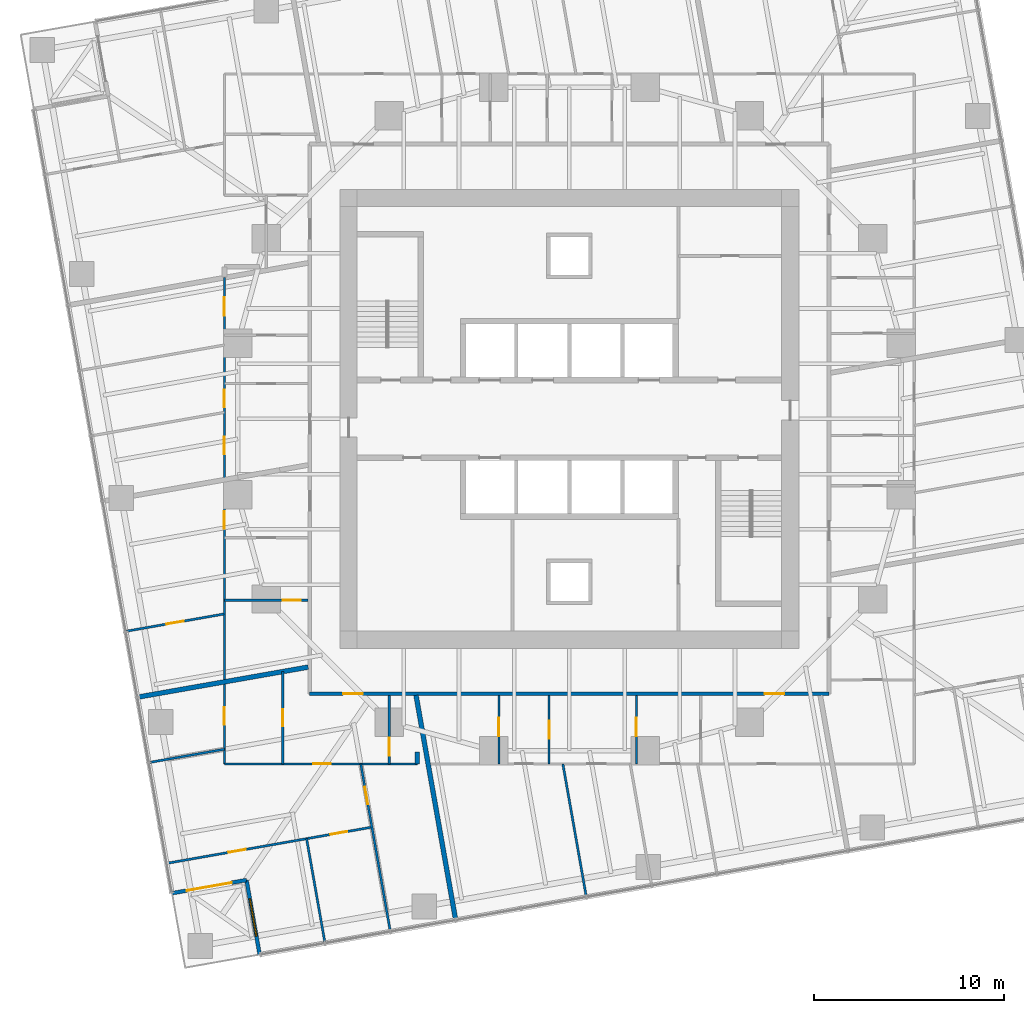
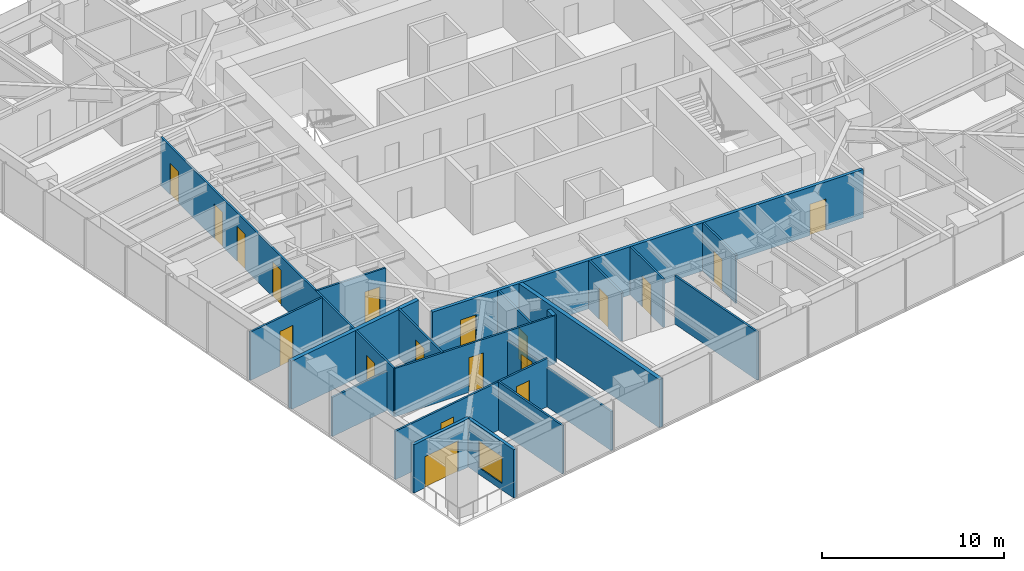
# One storey, part 8 of 14: 20 walls, 19 doors, 1 window, 20 openings.
"""IFC4 building model written with IfcOpenShell, lengths in metres."""

from ifc_helpers import new_model, si_unit, direction, frame, frame_2d, origin, place, context, subcontext, project, spatial, rectangle, extrude, material, layer, layer_set, type_object, element, fill, save


model = new_model("IFC4")

# Units and contexts
model_context = context("Model", 3, precision=1e-05, world=origin(), true_north=direction((0.0, 1.0)))
body_context = subcontext(model_context, "Body", "Model", "MODEL_VIEW")
ifc_project = project(units=[si_unit("LENGTHUNIT", "METRE"), si_unit("AREAUNIT", "SQUARE_METRE"), si_unit("VOLUMEUNIT", "CUBIC_METRE"), si_unit("PLANEANGLEUNIT", "RADIAN"), si_unit("MASSUNIT", "GRAM", prefix="KILO")], contexts=[model_context])

# Site, building, storey
site_placement = place(None, origin())
site = spatial("IfcSite", under=ifc_project, at=site_placement, CompositionType="ELEMENT")
building_placement = place(site_placement, origin())
building = spatial("IfcBuilding", under=site, at=building_placement, Name="Torsade Residences", CompositionType="ELEMENT")
storey_placement = place(building_placement, frame((0.0, 0.0, 99.800048828125)))
storey = spatial("IfcBuildingStorey", under=building, at=storey_placement, Name="L27", CompositionType="ELEMENT", Elevation=99.800048828125)

# Wall, openings, doors
ifc_material_1 = material(Name="Plasterboard on steel stud", Category="steel")
ifc_layer_1 = layer(ifc_material_1, 0.199951171875)
ifc_layer_set_1 = layer_set([ifc_layer_1], Name="Plasterboard on steel stud")
wall_type_1 = type_object("IfcWallType", Name="CORRIDOR WALL 200", PredefinedType="PARTITIONING", material=ifc_layer_set_1)
wall_1_placement = place(storey_placement, frame((26.300048828125, 15.5, 0.0), z_axis=(0.0, 0.0, 1.0), x_axis=(1.0, 0.0, 0.0)))
wall_1 = element("IfcWall", 1, at=wall_1_placement, inside=storey, type_object=wall_type_1, Name="Corridor wall L27", PredefinedType="PARTITIONING", context=body_context, shape_type="SweptSolid", body=[
    extrude(rectangle(XDim=27.39990234375, YDim=0.199951171875, at=frame_2d((13.699951171875, 0.0))), origin(), (0.0, 0.0, 1.0), 3.25),
])
opening_1_placement = place(wall_1_placement, frame((24.00537109375, 0.0, 0.0)))
opening_1 = element("IfcOpeningElement", 2, at=opening_1_placement, cuts=wall_1, Name="Opening D01L", PredefinedType="OPENING", context=body_context, shape_type="SweptSolid", body=[
    extrude(rectangle(XDim=1.02001953125, YDim=2.10009765625, at=frame_2d((0.510009765625, 1.050048828125))), frame((0.0, 0.10986328125, 0.0), z_axis=(0.0, -1.0, 0.0), x_axis=(1.0, 0.0, 0.0)), (0.0, 0.0, 1.0), 0.219970703125),
])
opening_2_placement = place(wall_1_placement, frame((1.764892578125, 0.0, 0.0)))
opening_2 = element("IfcOpeningElement", 3, at=opening_2_placement, cuts=wall_1, Name="Opening D01L", PredefinedType="OPENING", context=body_context, shape_type="SweptSolid", body=[
    extrude(rectangle(XDim=1.02001953125, YDim=2.10009765625, at=frame_2d((0.510009765625, 1.050048828125))), frame((0.0, 0.10986328125, 0.0), z_axis=(0.0, -1.0, 0.0), x_axis=(1.0, 0.0, 0.0)), (0.0, 0.0, 1.0), 0.219970703125),
])
ifc_material_2 = material(Name="Solid-core timber fire door", Category="wood")
door_type_1 = type_object("IfcDoorType", Name="APARTMENT ENTRY DOOR 1020x2100", OperationType="NOTDEFINED", PredefinedType="DOOR", material=ifc_material_2)
door_1_placement = place(opening_1_placement, origin())
door_1 = element("IfcDoor", 4, at=door_1_placement, inside=storey, type_object=door_type_1, Name="Door Residential corridor to Kitchen and dining", OperationType="SINGLE_SWING_RIGHT", OverallHeight=2.10009765625, OverallWidth=1.02001953125, PredefinedType="DOOR", context=body_context, shape_type="SweptSolid", body=[
    extrude(rectangle(XDim=1.02001953125, YDim=2.10009765625, at=frame_2d((0.510009765625, 1.050048828125))), frame((0.0, 0.02490234375, 0.0), z_axis=(0.0, -1.0, 0.0), x_axis=(1.0, 0.0, 0.0)), (0.0, 0.0, 1.0), 0.050048828125),
])
fill(opening_1, door_1)
door_2_placement = place(opening_2_placement, origin())
door_2 = element("IfcDoor", 5, at=door_2_placement, inside=storey, type_object=door_type_1, Name="Door Residential corridor to Kitchen and dining", OperationType="SINGLE_SWING_LEFT", OverallHeight=2.10009765625, OverallWidth=1.02001953125, PredefinedType="DOOR", context=body_context, shape_type="SweptSolid", body=[
    extrude(rectangle(XDim=1.02001953125, YDim=2.10009765625, at=frame_2d((0.510009765625, 1.050048828125))), frame((0.0, 0.02490234375, 0.0), z_axis=(0.0, -1.0, 0.0), x_axis=(1.0, 0.0, 0.0)), (0.0, 0.0, 1.0), 0.050048828125),
])
fill(opening_2, door_2)

ifc_material_3 = material(Name="Plasterboard on steel stud", Category="steel")
ifc_layer_2 = layer(ifc_material_3, 0.1201171875)
ifc_layer_set_2 = layer_set([ifc_layer_2], Name="Plasterboard on steel stud")
wall_type_2 = type_object("IfcWallType", Name="PARTITION 120", PredefinedType="PARTITIONING", material=ifc_layer_set_2)
wall_2_placement = place(storey_placement, frame((21.800048828125, 11.800048828125, 0.0), z_axis=(0.0, 0.0, 1.0), x_axis=(0.0, 1.0, 0.0)))
wall_2 = element("IfcWall", 6, at=wall_2_placement, inside=storey, type_object=wall_type_2, Name="Partition L27", PredefinedType="PARTITIONING", context=body_context, shape_type="SweptSolid", body=[
    extrude(rectangle(XDim=25.65283203125, YDim=0.1201171875, at=frame_2d((12.826416015625, 0.0))), origin(), (0.0, 0.0, 1.0), 3.25),
])
opening_3_placement = place(wall_2_placement, frame((16.333251953125, 0.0, 0.0)))
opening_3 = element("IfcOpeningElement", 7, at=opening_3_placement, cuts=wall_2, Name="Opening D02", PredefinedType="OPENING", context=body_context, shape_type="SweptSolid", body=[
    extrude(rectangle(XDim=0.919921875, YDim=2.340087890625, at=frame_2d((0.4599609375, 1.169921875))), frame((0.0, 0.070068359375, 0.0), z_axis=(0.0, -1.0, 0.0), x_axis=(1.0, 0.0, 0.0)), (0.0, 0.0, 1.0), 0.14013671875),
])
opening_4_placement = place(wall_2_placement, frame((18.821044921875, 0.0, 0.0)))
opening_4 = element("IfcOpeningElement", 8, at=opening_4_placement, cuts=wall_2, Name="Opening D02", PredefinedType="OPENING", context=body_context, shape_type="SweptSolid", body=[
    extrude(rectangle(XDim=0.919921875, YDim=2.340087890625, at=frame_2d((0.4599609375, 1.169921875))), frame((0.0, 0.070068359375, 0.0), z_axis=(0.0, -1.0, 0.0), x_axis=(1.0, 0.0, 0.0)), (0.0, 0.0, 1.0), 0.14013671875),
])
opening_5_placement = place(wall_2_placement, frame((12.401123046875, 0.0, 0.0)))
opening_5 = element("IfcOpeningElement", 9, at=opening_5_placement, cuts=wall_2, Name="Opening D02", PredefinedType="OPENING", context=body_context, shape_type="SweptSolid", body=[
    extrude(rectangle(XDim=0.919921875, YDim=2.340087890625, at=frame_2d((0.4599609375, 1.169921875))), frame((0.0, 0.070068359375, 0.0), z_axis=(0.0, -1.0, 0.0), x_axis=(1.0, 0.0, 0.0)), (0.0, 0.0, 1.0), 0.14013671875),
])
opening_6_placement = place(wall_2_placement, frame((2.06640625, 0.0, 0.0)))
opening_6 = element("IfcOpeningElement", 10, at=opening_6_placement, cuts=wall_2, Name="Opening D02", PredefinedType="OPENING", context=body_context, shape_type="SweptSolid", body=[
    extrude(rectangle(XDim=0.919921875, YDim=2.340087890625, at=frame_2d((0.4599609375, 1.169921875))), frame((0.0, 0.070068359375, 0.0), z_axis=(0.0, -1.0, 0.0), x_axis=(1.0, 0.0, 0.0)), (0.0, 0.0, 1.0), 0.14013671875),
])
opening_7_placement = place(wall_2_placement, frame((23.65087890625, 0.0, 0.0)))
opening_7 = element("IfcOpeningElement", 11, at=opening_7_placement, cuts=wall_2, Name="Opening D05", PredefinedType="OPENING", context=body_context, shape_type="SweptSolid", body=[
    extrude(rectangle(XDim=0.9599609375, YDim=2.10009765625, at=frame_2d((0.47998046875, 1.050048828125))), frame((0.0, 0.070068359375, 0.0), z_axis=(0.0, -1.0, 0.0), x_axis=(1.0, 0.0, 0.0)), (0.0, 0.0, 1.0), 0.14013671875),
])
ifc_material_4 = material(Name="Hollow-core timber door in a steel cavity frame", Category="steel")
door_type_2 = type_object("IfcDoorType", Name="BATHROOM CAVITY SLIDING DOOR 960", OperationType="SLIDING_TO_LEFT", PredefinedType="DOOR", material=ifc_material_4)
door_3_placement = place(opening_7_placement, origin())
door_3 = element("IfcDoor", 12, at=door_3_placement, inside=storey, type_object=door_type_2, Name="Door Bathroom to Living room", OperationType="SLIDING_TO_LEFT", OverallHeight=2.10009765625, OverallWidth=0.9599609375, PredefinedType="DOOR", context=body_context, shape_type="SweptSolid", body=[
    extrude(rectangle(XDim=0.9599609375, YDim=2.10009765625, at=frame_2d((0.47998046875, 1.050048828125))), frame((0.0, 0.02490234375, 0.0), z_axis=(0.0, -1.0, 0.0), x_axis=(1.0, 0.0, 0.0)), (0.0, 0.0, 1.0), 0.050048828125),
])
fill(opening_7, door_3)
ifc_material_5 = material(Name="Hollow-core timber door", Category="wood")
door_type_3 = type_object("IfcDoorType", Name="INTERNAL DOOR 920x2340", OperationType="NOTDEFINED", PredefinedType="DOOR", material=ifc_material_5)
door_4_placement = place(opening_3_placement, origin())
door_4 = element("IfcDoor", 13, at=door_4_placement, inside=storey, type_object=door_type_3, Name="Door Kitchen and dining to Bedroom 2", OperationType="SINGLE_SWING_LEFT", OverallHeight=2.340087890625, OverallWidth=0.919921875, PredefinedType="DOOR", context=body_context, shape_type="SweptSolid", body=[
    extrude(rectangle(XDim=0.919921875, YDim=2.340087890625, at=frame_2d((0.4599609375, 1.169921875))), frame((0.0, 0.02490234375, 0.0), z_axis=(0.0, -1.0, 0.0), x_axis=(1.0, 0.0, 0.0)), (0.0, 0.0, 1.0), 0.050048828125),
])
fill(opening_3, door_4)
door_5_placement = place(opening_4_placement, origin())
door_5 = element("IfcDoor", 14, at=door_5_placement, inside=storey, type_object=door_type_3, Name="Door Kitchen and dining to Bedroom 1", OperationType="SINGLE_SWING_LEFT", OverallHeight=2.340087890625, OverallWidth=0.919921875, PredefinedType="DOOR", context=body_context, shape_type="SweptSolid", body=[
    extrude(rectangle(XDim=0.919921875, YDim=2.340087890625, at=frame_2d((0.4599609375, 1.169921875))), frame((0.0, 0.02490234375, 0.0), z_axis=(0.0, -1.0, 0.0), x_axis=(1.0, 0.0, 0.0)), (0.0, 0.0, 1.0), 0.050048828125),
])
fill(opening_4, door_5)
door_6_placement = place(opening_5_placement, origin())
door_6 = element("IfcDoor", 15, at=door_6_placement, inside=storey, type_object=door_type_3, Name="Door Kitchen and dining to Living room", OperationType="SINGLE_SWING_RIGHT", OverallHeight=2.340087890625, OverallWidth=0.919921875, PredefinedType="DOOR", context=body_context, shape_type="SweptSolid", body=[
    extrude(rectangle(XDim=0.919921875, YDim=2.340087890625, at=frame_2d((0.4599609375, 1.169921875))), frame((0.0, 0.02490234375, 0.0), z_axis=(0.0, -1.0, 0.0), x_axis=(1.0, 0.0, 0.0)), (0.0, 0.0, 1.0), 0.050048828125),
])
fill(opening_5, door_6)
door_7_placement = place(opening_6_placement, origin())
door_7 = element("IfcDoor", 16, at=door_7_placement, inside=storey, type_object=door_type_3, Name="Door Dressing room to Family room", OperationType="SINGLE_SWING_RIGHT", OverallHeight=2.340087890625, OverallWidth=0.919921875, PredefinedType="DOOR", context=body_context, shape_type="SweptSolid", body=[
    extrude(rectangle(XDim=0.919921875, YDim=2.340087890625, at=frame_2d((0.4599609375, 1.169921875))), frame((0.0, 0.02490234375, 0.0), z_axis=(0.0, -1.0, 0.0), x_axis=(1.0, 0.0, 0.0)), (0.0, 0.0, 1.0), 0.050048828125),
])
fill(opening_6, door_7)

# Wall, opening, door
wall_3_placement = place(storey_placement, frame((21.800048828125, 20.430908203125, 0.0), z_axis=(0.0, 0.0, 1.0), x_axis=(1.0, 0.0, 0.0)))
wall_3 = element("IfcWall", 17, at=wall_3_placement, inside=storey, type_object=wall_type_2, Name="Partition L27", PredefinedType="PARTITIONING", context=body_context, shape_type="SweptSolid", body=[
    extrude(rectangle(XDim=4.39990234375, YDim=0.1201171875, at=frame_2d((2.199951171875, 0.0))), origin(), (0.0, 0.0, 1.0), 3.25),
])
opening_8_placement = place(wall_3_placement, frame((3.070068359375, 0.0, 0.0)))
opening_8 = element("IfcOpeningElement", 18, at=opening_8_placement, cuts=wall_3, Name="Opening D05", PredefinedType="OPENING", context=body_context, shape_type="SweptSolid", body=[
    extrude(rectangle(XDim=0.9599609375, YDim=2.10009765625, at=frame_2d((0.47998046875, 1.050048828125))), frame((0.0, 0.070068359375, 0.0), z_axis=(0.0, -1.0, 0.0), x_axis=(1.0, 0.0, 0.0)), (0.0, 0.0, 1.0), 0.14013671875),
])
door_8_placement = place(opening_8_placement, origin())
door_8 = element("IfcDoor", 19, at=door_8_placement, inside=storey, type_object=door_type_2, Name="Door Ensuite to Bathroom", OperationType="SLIDING_TO_LEFT", OverallHeight=2.10009765625, OverallWidth=0.9599609375, PredefinedType="DOOR", context=body_context, shape_type="SweptSolid", body=[
    extrude(rectangle(XDim=0.9599609375, YDim=2.10009765625, at=frame_2d((0.47998046875, 1.050048828125))), frame((0.0, 0.02490234375, 0.0), z_axis=(0.0, -1.0, 0.0), x_axis=(1.0, 0.0, 0.0)), (0.0, 0.0, 1.0), 0.050048828125),
])
fill(opening_8, door_8)

wall_4_placement = place(storey_placement, frame((21.77001953125, 19.7080078125, 0.0), z_axis=(0.0, 0.0, 1.0), x_axis=(-0.984812268581, -0.173622566657, 0.0)))
wall_4 = element("IfcWall", 20, at=wall_4_placement, inside=storey, type_object=wall_type_2, Name="Partition L27", PredefinedType="PARTITIONING", context=body_context, shape_type="SweptSolid", body=[
    extrude(rectangle(XDim=5.2197265625, YDim=0.1201171875, at=frame_2d((2.60986328125, 0.0))), origin(), (0.0, 0.0, 1.0), 3.25),
])
opening_9_placement = place(wall_4_placement, frame((2.15478515625, 0.0, 0.0)))
opening_9 = element("IfcOpeningElement", 21, at=opening_9_placement, cuts=wall_4, Name="Opening D02", PredefinedType="OPENING", context=body_context, shape_type="SweptSolid", body=[
    extrude(rectangle(XDim=0.919921875, YDim=2.340087890625, at=frame_2d((0.4599609375, 1.169921875))), frame((0.0, 0.070068359375, 0.0), z_axis=(0.0, -1.0, 0.0), x_axis=(1.0, 0.0, 0.0)), (0.0, 0.0, 1.0), 0.14013671875),
])
door_9_placement = place(opening_9_placement, origin())
door_9 = element("IfcDoor", 22, at=door_9_placement, inside=storey, type_object=door_type_3, Name="Door Living room to Bedroom 1", OperationType="SINGLE_SWING_LEFT", OverallHeight=2.340087890625, OverallWidth=0.919921875, PredefinedType="DOOR", context=body_context, shape_type="SweptSolid", body=[
    extrude(rectangle(XDim=0.919921875, YDim=2.340087890625, at=frame_2d((0.4599609375, 1.169921875))), frame((0.0, 0.02490234375, 0.0), z_axis=(0.0, -1.0, 0.0), x_axis=(1.0, 0.0, 0.0)), (0.0, 0.0, 1.0), 0.050048828125),
])
fill(opening_9, door_9)

wall_5_placement = place(storey_placement, frame((30.5, 11.800048828125, 0.0), z_axis=(0.0, 0.0, 1.0), x_axis=(0.0, 1.0, 0.0)))
wall_5 = element("IfcWall", 23, at=wall_5_placement, inside=storey, type_object=wall_type_2, Name="Partition L27", PredefinedType="PARTITIONING", context=body_context, shape_type="SweptSolid", body=[
    extrude(rectangle(XDim=3.599853515625, YDim=0.1201171875, at=frame_2d((1.7998046875, 0.0))), origin(), (0.0, 0.0, 1.0), 3.25),
])
opening_10_placement = place(wall_5_placement, frame((0.419921875, 0.0, 0.0)))
opening_10 = element("IfcOpeningElement", 24, at=opening_10_placement, cuts=wall_5, Name="Opening D05", PredefinedType="OPENING", context=body_context, shape_type="SweptSolid", body=[
    extrude(rectangle(XDim=0.9599609375, YDim=2.10009765625, at=frame_2d((0.47998046875, 1.050048828125))), frame((0.0, 0.070068359375, 0.0), z_axis=(0.0, -1.0, 0.0), x_axis=(1.0, 0.0, 0.0)), (0.0, 0.0, 1.0), 0.14013671875),
])
door_10_placement = place(opening_10_placement, origin())
door_10 = element("IfcDoor", 25, at=door_10_placement, inside=storey, type_object=door_type_2, Name="Door Kitchen and dining to Bathroom", OperationType="SLIDING_TO_LEFT", OverallHeight=2.10009765625, OverallWidth=0.9599609375, PredefinedType="DOOR", context=body_context, shape_type="SweptSolid", body=[
    extrude(rectangle(XDim=0.9599609375, YDim=2.10009765625, at=frame_2d((0.47998046875, 1.050048828125))), frame((0.0, 0.02490234375, 0.0), z_axis=(0.0, -1.0, 0.0), x_axis=(1.0, 0.0, 0.0)), (0.0, 0.0, 1.0), 0.050048828125),
])
fill(opening_10, door_10)

wall_6_placement = place(storey_placement, frame((31.975341796875, 11.800048828125, 0.0), z_axis=(0.0, 0.0, 1.0), x_axis=(-1.0, 0.0, 0.0)))
wall_6 = element("IfcWall", 26, at=wall_6_placement, inside=storey, type_object=wall_type_2, Name="Partition L27", PredefinedType="PARTITIONING", context=body_context, shape_type="SweptSolid", body=[
    extrude(rectangle(XDim=10.17529296875, YDim=0.1201171875, at=frame_2d((5.087646484375, 0.0))), origin(), (0.0, 0.0, 1.0), 3.25),
])
opening_11_placement = place(wall_6_placement, frame((4.557861328125, 0.0, 0.0)))
opening_11 = element("IfcOpeningElement", 27, at=opening_11_placement, cuts=wall_6, Name="Opening D02", PredefinedType="OPENING", context=body_context, shape_type="SweptSolid", body=[
    extrude(rectangle(XDim=0.919921875, YDim=2.340087890625, at=frame_2d((0.4599609375, 1.169921875))), frame((0.0, 0.070068359375, 0.0), z_axis=(0.0, -1.0, 0.0), x_axis=(1.0, 0.0, 0.0)), (0.0, 0.0, 1.0), 0.14013671875),
])
door_11_placement = place(opening_11_placement, origin())
door_11 = element("IfcDoor", 28, at=door_11_placement, inside=storey, type_object=door_type_3, Name="Door Kitchen and dining to Living room", OperationType="SINGLE_SWING_LEFT", OverallHeight=2.340087890625, OverallWidth=0.919921875, PredefinedType="DOOR", context=body_context, shape_type="SweptSolid", body=[
    extrude(rectangle(XDim=0.919921875, YDim=2.340087890625, at=frame_2d((0.4599609375, 1.169921875))), frame((0.0, 0.02490234375, 0.0), z_axis=(0.0, -1.0, 0.0), x_axis=(1.0, 0.0, 0.0)), (0.0, 0.0, 1.0), 0.050048828125),
])
fill(opening_11, door_11)

wall_7_placement = place(storey_placement, frame((24.871337890625, 11.800048828125, 0.0), z_axis=(0.0, 0.0, 1.0), x_axis=(0.0, 1.0, 0.0)))
wall_7 = element("IfcWall", 29, at=wall_7_placement, inside=storey, type_object=wall_type_2, Name="Partition L27", PredefinedType="PARTITIONING", context=body_context, shape_type="SweptSolid", body=[
    extrude(rectangle(XDim=4.870361328125, YDim=0.1201171875, at=frame_2d((2.43505859375, 0.0))), origin(), (0.0, 0.0, 1.0), 3.25),
])
opening_12_placement = place(wall_7_placement, frame((1.97509765625, 0.0, 0.0)))
opening_12 = element("IfcOpeningElement", 30, at=opening_12_placement, cuts=wall_7, Name="Opening D02", PredefinedType="OPENING", context=body_context, shape_type="SweptSolid", body=[
    extrude(rectangle(XDim=0.919921875, YDim=2.340087890625, at=frame_2d((0.4599609375, 1.169921875))), frame((0.0, 0.070068359375, 0.0), z_axis=(0.0, -1.0, 0.0), x_axis=(1.0, 0.0, 0.0)), (0.0, 0.0, 1.0), 0.14013671875),
])
door_12_placement = place(opening_12_placement, origin())
door_12 = element("IfcDoor", 31, at=door_12_placement, inside=storey, type_object=door_type_3, Name="Door Kitchen and dining to Dressing room", OperationType="SINGLE_SWING_RIGHT", OverallHeight=2.340087890625, OverallWidth=0.919921875, PredefinedType="DOOR", context=body_context, shape_type="SweptSolid", body=[
    extrude(rectangle(XDim=0.919921875, YDim=2.340087890625, at=frame_2d((0.4599609375, 1.169921875))), frame((0.0, 0.02490234375, 0.0), z_axis=(0.0, -1.0, 0.0), x_axis=(1.0, 0.0, 0.0)), (0.0, 0.0, 1.0), 0.050048828125),
])
fill(opening_12, door_12)

wall_8_placement = place(storey_placement, frame((28.9931640625, 11.800048828125, 0.0), z_axis=(0.0, 0.0, 1.0), x_axis=(0.173639020759, -0.984809367578, 0.0)))
wall_8 = element("IfcWall", 32, at=wall_8_placement, inside=storey, type_object=wall_type_2, Name="Partition L27", PredefinedType="PARTITIONING", context=body_context, shape_type="SweptSolid", body=[
    extrude(rectangle(XDim=8.947998046875, YDim=0.1201171875, at=frame_2d((4.47412109375, 0.0))), origin(), (0.0, 0.0, 1.0), 2.637939453125),
])
opening_13_placement = place(wall_8_placement, frame((1.234130859375, 0.0, 0.0)))
opening_13 = element("IfcOpeningElement", 33, at=opening_13_placement, cuts=wall_8, Name="Opening D02", PredefinedType="OPENING", context=body_context, shape_type="SweptSolid", body=[
    extrude(rectangle(XDim=0.919921875, YDim=2.340087890625, at=frame_2d((0.4599609375, 1.169921875))), frame((0.0, 0.070068359375, 0.0), z_axis=(0.0, -1.0, 0.0), x_axis=(1.0, 0.0, 0.0)), (0.0, 0.0, 1.0), 0.14013671875),
])
door_13_placement = place(opening_13_placement, origin())
door_13 = element("IfcDoor", 34, at=door_13_placement, inside=storey, type_object=door_type_3, Name="Door Living room to Bedroom 1", OperationType="SINGLE_SWING_LEFT", OverallHeight=2.340087890625, OverallWidth=0.919921875, PredefinedType="DOOR", context=body_context, shape_type="SweptSolid", body=[
    extrude(rectangle(XDim=0.919921875, YDim=2.340087890625, at=frame_2d((0.4599609375, 1.169921875))), frame((0.0, 0.02490234375, 0.0), z_axis=(0.0, -1.0, 0.0), x_axis=(1.0, 0.0, 0.0)), (0.0, 0.0, 1.0), 0.050048828125),
])
fill(opening_13, door_13)

# Wall, openings, doors
wall_9_placement = place(storey_placement, frame((29.58154296875, 8.46337890625, 0.0), z_axis=(0.0, 0.0, 1.0), x_axis=(-0.98480552757, -0.173660798302, 0.0)))
wall_9 = element("IfcWall", 35, at=wall_9_placement, inside=storey, type_object=wall_type_2, Name="Partition L27", PredefinedType="PARTITIONING", context=body_context, shape_type="SweptSolid", body=[
    extrude(rectangle(XDim=10.9599609375, YDim=0.1201171875, at=frame_2d((5.47998046875, 0.0))), origin(), (0.0, 0.0, 1.0), 3.25),
])
opening_14_placement = place(wall_9_placement, frame((6.76513671875, 0.0, 0.0)))
opening_14 = element("IfcOpeningElement", 36, at=opening_14_placement, cuts=wall_9, Name="Opening D02", PredefinedType="OPENING", context=body_context, shape_type="SweptSolid", body=[
    extrude(rectangle(XDim=0.919921875, YDim=2.340087890625, at=frame_2d((0.4599609375, 1.169921875))), frame((0.0, 0.070068359375, 0.0), z_axis=(0.0, -1.0, 0.0), x_axis=(1.0, 0.0, 0.0)), (0.0, 0.0, 1.0), 0.14013671875),
])
opening_15_placement = place(wall_9_placement, frame((1.31494140625, 0.0, 0.0)))
opening_15 = element("IfcOpeningElement", 37, at=opening_15_placement, cuts=wall_9, Name="Opening D02", PredefinedType="OPENING", context=body_context, shape_type="SweptSolid", body=[
    extrude(rectangle(XDim=0.919921875, YDim=2.340087890625, at=frame_2d((0.4599609375, 1.169921875))), frame((0.0, 0.070068359375, 0.0), z_axis=(0.0, -1.0, 0.0), x_axis=(1.0, 0.0, 0.0)), (0.0, 0.0, 1.0), 0.14013671875),
])
door_14_placement = place(opening_14_placement, origin())
door_14 = element("IfcDoor", 38, at=door_14_placement, inside=storey, type_object=door_type_3, Name="Door Living room to Bedroom 2", OperationType="SINGLE_SWING_LEFT", OverallHeight=2.340087890625, OverallWidth=0.919921875, PredefinedType="DOOR", context=body_context, shape_type="SweptSolid", body=[
    extrude(rectangle(XDim=0.919921875, YDim=2.340087890625, at=frame_2d((0.4599609375, 1.169921875))), frame((0.0, 0.02490234375, 0.0), z_axis=(0.0, -1.0, 0.0), x_axis=(1.0, 0.0, 0.0)), (0.0, 0.0, 1.0), 0.050048828125),
])
fill(opening_14, door_14)
door_15_placement = place(opening_15_placement, origin())
door_15 = element("IfcDoor", 39, at=door_15_placement, inside=storey, type_object=door_type_3, Name="Door Living room to Study", OperationType="SINGLE_SWING_RIGHT", OverallHeight=2.340087890625, OverallWidth=0.919921875, PredefinedType="DOOR", context=body_context, shape_type="SweptSolid", body=[
    extrude(rectangle(XDim=0.919921875, YDim=2.340087890625, at=frame_2d((0.4599609375, 1.169921875))), frame((0.0, 0.02490234375, 0.0), z_axis=(0.0, -1.0, 0.0), x_axis=(1.0, 0.0, 0.0)), (0.0, 0.0, 1.0), 0.050048828125),
])
fill(opening_15, door_15)

# Walls
wall_10_placement = place(storey_placement, frame((17.850341796875, 11.87841796875, 0.0), z_axis=(0.0, 0.0, 1.0), x_axis=(0.984803775068, 0.173670736201, 0.0)))
element("IfcWall", 40, at=wall_10_placement, inside=storey, type_object=wall_type_2, Name="Partition L27", PredefinedType="PARTITIONING", context=body_context, shape_type="SweptSolid", body=[
    extrude(rectangle(XDim=4.0107421875, YDim=0.1201171875, at=frame_2d((2.00537109375, 0.0))), origin(), (0.0, 0.0, 1.0), 2.637939453125),
])
wall_11_placement = place(storey_placement, frame((26.134765625, 7.85546875, 0.0), z_axis=(0.0, 0.0, 1.0), x_axis=(0.173635023028, -0.984810072439, 0.0)))
element("IfcWall", 41, at=wall_11_placement, inside=storey, type_object=wall_type_2, Name="Partition L27", PredefinedType="PARTITIONING", context=body_context, shape_type="SweptSolid", body=[
    extrude(rectangle(XDim=5.5595703125, YDim=0.1201171875, at=frame_2d((2.77978515625, 0.0))), origin(), (0.0, 0.0, 1.0), 3.25),
])

# Wall, opening, door
wall_12_placement = place(storey_placement, frame((43.53759765625, 15.39990234375, 0.0), z_axis=(0.0, 0.0, 1.0), x_axis=(0.0, -1.0, 0.0)))
wall_12 = element("IfcWall", 42, at=wall_12_placement, inside=storey, type_object=wall_type_2, Name="Partition L27", PredefinedType="PARTITIONING", context=body_context, shape_type="SweptSolid", body=[
    extrude(rectangle(XDim=3.599853515625, YDim=0.1201171875, at=frame_2d((1.7998046875, 0.0))), origin(), (0.0, 0.0, 1.0), 3.25),
])
opening_16_placement = place(wall_12_placement, frame((1.169921875, 0.0, 0.0)))
opening_16 = element("IfcOpeningElement", 43, at=opening_16_placement, cuts=wall_12, Name="Opening D05", PredefinedType="OPENING", context=body_context, shape_type="SweptSolid", body=[
    extrude(rectangle(XDim=0.9599609375, YDim=2.10009765625, at=frame_2d((0.47998046875, 1.050048828125))), frame((0.0, 0.070068359375, 0.0), z_axis=(0.0, -1.0, 0.0), x_axis=(1.0, 0.0, 0.0)), (0.0, 0.0, 1.0), 0.14013671875),
])
door_16_placement = place(opening_16_placement, origin())
door_16 = element("IfcDoor", 44, at=door_16_placement, inside=storey, type_object=door_type_2, Name="Door Laundry to Bathroom", OperationType="SLIDING_TO_LEFT", OverallHeight=2.10009765625, OverallWidth=0.9599609375, PredefinedType="DOOR", context=body_context, shape_type="SweptSolid", body=[
    extrude(rectangle(XDim=0.9599609375, YDim=2.10009765625, at=frame_2d((0.47998046875, 1.050048828125))), frame((0.0, 0.02490234375, 0.0), z_axis=(0.0, -1.0, 0.0), x_axis=(1.0, 0.0, 0.0)), (0.0, 0.0, 1.0), 0.050048828125),
])
fill(opening_16, door_16)

wall_13_placement = place(storey_placement, frame((38.9287109375, 11.800048828125, 0.0), z_axis=(0.0, 0.0, 1.0), x_axis=(0.0, 1.0, 0.0)))
wall_13 = element("IfcWall", 45, at=wall_13_placement, inside=storey, type_object=wall_type_2, Name="Partition L27", PredefinedType="PARTITIONING", context=body_context, shape_type="SweptSolid", body=[
    extrude(rectangle(XDim=3.599853515625, YDim=0.1201171875, at=frame_2d((1.7998046875, 0.0))), origin(), (0.0, 0.0, 1.0), 3.25),
])
opening_17_placement = place(wall_13_placement, frame((1.320068359375, 0.0, 0.0)))
opening_17 = element("IfcOpeningElement", 46, at=opening_17_placement, cuts=wall_13, Name="Opening D05", PredefinedType="OPENING", context=body_context, shape_type="SweptSolid", body=[
    extrude(rectangle(XDim=0.9599609375, YDim=2.10009765625, at=frame_2d((0.47998046875, 1.050048828125))), frame((0.0, 0.070068359375, 0.0), z_axis=(0.0, -1.0, 0.0), x_axis=(1.0, 0.0, 0.0)), (0.0, 0.0, 1.0), 0.14013671875),
])
door_17_placement = place(opening_17_placement, origin())
door_17 = element("IfcDoor", 47, at=door_17_placement, inside=storey, type_object=door_type_2, Name="Door Bathroom to Study", OperationType="SLIDING_TO_LEFT", OverallHeight=2.10009765625, OverallWidth=0.9599609375, PredefinedType="DOOR", context=body_context, shape_type="SweptSolid", body=[
    extrude(rectangle(XDim=0.9599609375, YDim=2.10009765625, at=frame_2d((0.47998046875, 1.050048828125))), frame((0.0, 0.02490234375, 0.0), z_axis=(0.0, -1.0, 0.0), x_axis=(1.0, 0.0, 0.0)), (0.0, 0.0, 1.0), 0.050048828125),
])
fill(opening_17, door_17)

wall_14_placement = place(storey_placement, frame((36.28271484375, 15.39990234375, 0.0), z_axis=(0.0, 0.0, 1.0), x_axis=(0.0, -1.0, 0.0)))
wall_14 = element("IfcWall", 48, at=wall_14_placement, inside=storey, type_object=wall_type_2, Name="Partition L27", PredefinedType="PARTITIONING", context=body_context, shape_type="SweptSolid", body=[
    extrude(rectangle(XDim=3.599853515625, YDim=0.1201171875, at=frame_2d((1.7998046875, 0.0))), origin(), (0.0, 0.0, 1.0), 3.25),
])
opening_18_placement = place(wall_14_placement, frame((1.169921875, 0.0, 0.0)))
opening_18 = element("IfcOpeningElement", 49, at=opening_18_placement, cuts=wall_14, Name="Opening D05", PredefinedType="OPENING", context=body_context, shape_type="SweptSolid", body=[
    extrude(rectangle(XDim=0.9599609375, YDim=2.10009765625, at=frame_2d((0.47998046875, 1.050048828125))), frame((0.0, 0.070068359375, 0.0), z_axis=(0.0, -1.0, 0.0), x_axis=(1.0, 0.0, 0.0)), (0.0, 0.0, 1.0), 0.14013671875),
])
door_18_placement = place(opening_18_placement, origin())
door_18 = element("IfcDoor", 50, at=door_18_placement, inside=storey, type_object=door_type_2, Name="Door Study to Ensuite", OperationType="SLIDING_TO_LEFT", OverallHeight=2.10009765625, OverallWidth=0.9599609375, PredefinedType="DOOR", context=body_context, shape_type="SweptSolid", body=[
    extrude(rectangle(XDim=0.9599609375, YDim=2.10009765625, at=frame_2d((0.47998046875, 1.050048828125))), frame((0.0, 0.02490234375, 0.0), z_axis=(0.0, -1.0, 0.0), x_axis=(1.0, 0.0, 0.0)), (0.0, 0.0, 1.0), 0.050048828125),
])
fill(opening_18, door_18)

# Walls
wall_15_placement = place(storey_placement, frame((39.6552734375, 11.800048828125, 0.0), z_axis=(0.0, 0.0, 1.0), x_axis=(0.17363617165, -0.984809869921, 0.0)))
element("IfcWall", 51, at=wall_15_placement, inside=storey, type_object=wall_type_2, Name="Partition L27", PredefinedType="PARTITIONING", context=body_context, shape_type="SweptSolid", body=[
    extrude(rectangle(XDim=7.096435546875, YDim=0.1201171875, at=frame_2d((3.54833984375, 0.0))), origin(), (0.0, 0.0, 1.0), 3.25),
])
ifc_material_6 = material(Name="Masonry-lined stud party wall", Category="masonry")
ifc_layer_3 = layer(ifc_material_6, 0.25)
ifc_layer_set_3 = layer_set([ifc_layer_3], Name="Masonry-lined stud party wall")
wall_type_3 = type_object("IfcWallType", Name="PARTY WALL 250", PredefinedType="PARTITIONING", material=ifc_layer_set_3)
wall_16_placement = place(storey_placement, frame((34.000732421875, 3.556396484375, 0.0), z_axis=(0.0, 0.0, 1.0), x_axis=(-0.173654664517, 0.984806609184, 0.0)))
element("IfcWall", 52, at=wall_16_placement, inside=storey, type_object=wall_type_3, Name="Party wall L27", PredefinedType="PARTITIONING", context=body_context, shape_type="SweptSolid", body=[
    extrude(rectangle(XDim=12.04443359375, YDim=0.25, at=frame_2d((6.022216796875, 0.0))), origin(), (0.0, 0.0, 1.0), 3.25),
])
wall_17_placement = place(storey_placement, frame((17.203125, 15.318359375, 0.0), z_axis=(0.0, 0.0, 1.0), x_axis=(0.984810933893, 0.173630137029, 0.0)))
element("IfcWall", 53, at=wall_17_placement, inside=storey, type_object=wall_type_3, Name="Party wall L27", PredefinedType="PARTITIONING", context=body_context, shape_type="SweptSolid", body=[
    extrude(rectangle(XDim=9.153564453125, YDim=0.25, at=frame_2d((4.57666015625, 0.0))), origin(), (0.0, 0.0, 1.0), 3.25),
])
wall_18_placement = place(storey_placement, frame((31.975341796875, 12.421875, 0.0), z_axis=(0.0, 0.0, 1.0), x_axis=(0.0, -1.0, 0.0)))
element("IfcWall", 54, at=wall_18_placement, inside=storey, type_object=wall_type_3, Name="Party wall L27", PredefinedType="PARTITIONING", context=body_context, shape_type="SweptSolid", body=[
    extrude(rectangle(XDim=0.621826171875, YDim=0.25, at=frame_2d((0.31103515625, 0.0))), origin(), (0.0, 0.0, 1.0), 3.25),
])

# Wall, opening, door
ifc_material_7 = material(Name="Stone-faced precast concrete 40 MPa panel", Category="masonry")
ifc_layer_4 = layer(ifc_material_7, 0.199951171875)
ifc_layer_set_4 = layer_set([ifc_layer_4], Name="Stone-faced precast concrete 40 MPa panel")
wall_type_4 = type_object("IfcWallType", Name="TERRACE WALL 200", PredefinedType="SOLIDWALL", material=ifc_layer_set_4)
wall_19_placement = place(storey_placement, frame((19.0263671875, 4.977783203125, 0.0), z_axis=(0.0, 0.0, 1.0), x_axis=(0.984808127031, 0.173646056486, 0.0)))
wall_19 = element("IfcWall", 55, at=wall_19_placement, inside=storey, type_object=wall_type_4, Name="Terrace wall L27 11", PredefinedType="SOLIDWALL", context=body_context, shape_type="SweptSolid", body=[
    extrude(rectangle(XDim=4.0, YDim=0.199951171875, at=frame_2d((2.0, 0.0))), origin(), (0.0, 0.0, 1.0), 3.25),
])
opening_19_placement = place(wall_19_placement, frame((0.800048828125, 0.0, 0.0)))
opening_19 = element("IfcOpeningElement", 56, at=opening_19_placement, cuts=wall_19, Name="Opening D10A", PredefinedType="OPENING", context=body_context, shape_type="SweptSolid", body=[
    extrude(rectangle(XDim=2.39990234375, YDim=2.10009765625, at=frame_2d((1.199951171875, 1.050048828125))), frame((0.0, 0.10986328125, 0.0), z_axis=(0.0, -1.0, 0.0), x_axis=(1.0, 0.0, 0.0)), (0.0, 0.0, 1.0), 0.219970703125),
])
ifc_material_8 = material(Name="Aluminium-framed glass door", Category="aluminium")
door_type_4 = type_object("IfcDoorType", Name="TERRACE SLIDING DOOR 2400x2100", OperationType="SLIDING_TO_LEFT", PredefinedType="DOOR", material=ifc_material_8)
door_19_placement = place(opening_19_placement, origin())
door_19 = element("IfcDoor", 57, at=door_19_placement, inside=storey, type_object=door_type_4, Name="Terrace door L27 11", OperationType="SLIDING_TO_LEFT", OverallHeight=2.10009765625, OverallWidth=2.39990234375, PredefinedType="DOOR", context=body_context, shape_type="SweptSolid", body=[
    extrude(rectangle(XDim=2.39990234375, YDim=2.10009765625, at=frame_2d((1.199951171875, 1.050048828125))), frame((0.0, 0.02490234375, 0.0), z_axis=(0.0, -1.0, 0.0), x_axis=(1.0, 0.0, 0.0)), (0.0, 0.0, 1.0), 0.050048828125),
])
fill(opening_19, door_19)

# Wall, opening, window
wall_20_placement = place(storey_placement, frame((22.965576171875, 5.67236328125, 0.0), z_axis=(0.0, 0.0, 1.0), x_axis=(0.173646056486, -0.984808127031, 0.0)))
wall_20 = element("IfcWall", 58, at=wall_20_placement, inside=storey, type_object=wall_type_4, Name="Terrace wall L27 12", PredefinedType="SOLIDWALL", context=body_context, shape_type="SweptSolid", body=[
    extrude(rectangle(XDim=4.0, YDim=0.199951171875, at=frame_2d((2.0, 0.0))), origin(), (0.0, 0.0, 1.0), 3.25),
])
opening_20_placement = place(wall_20_placement, frame((1.0, 0.0, 0.449951171875)))
opening_20 = element("IfcOpeningElement", 59, at=opening_20_placement, cuts=wall_20, Name="Opening W1B", PredefinedType="OPENING", context=body_context, shape_type="SweptSolid", body=[
    extrude(rectangle(XDim=2.0, YDim=1.800048828125, at=frame_2d((1.0, 0.89990234375))), frame((0.0, 0.10986328125, 0.0), z_axis=(0.0, -1.0, 0.0), x_axis=(1.0, 0.0, 0.0)), (0.0, 0.0, 1.0), 0.219970703125),
])
ifc_material_9 = material(Name="Aluminium-framed glass window", Category="aluminium")
window_type = type_object("IfcWindowType", Name="TERRACE WINDOW 2000x1800", PartitioningType="SINGLE_PANEL", PredefinedType="WINDOW", material=ifc_material_9)
window_placement = place(opening_20_placement, origin())
window = element("IfcWindow", 60, at=window_placement, inside=storey, type_object=window_type, Name="Terrace window L27 12", OverallHeight=1.800048828125, OverallWidth=2.0, PartitioningType="SINGLE_PANEL", PredefinedType="WINDOW", context=body_context, shape_type="SweptSolid", body=[
    extrude(rectangle(XDim=2.0, YDim=1.800048828125, at=frame_2d((1.0, 0.89990234375))), frame((0.0, 0.030029296875, 0.0), z_axis=(0.0, -1.0, 0.0), x_axis=(1.0, 0.0, 0.0)), (0.0, 0.0, 1.0), 0.06005859375),
])
fill(opening_20, window)

save(model, "model.ifc")
